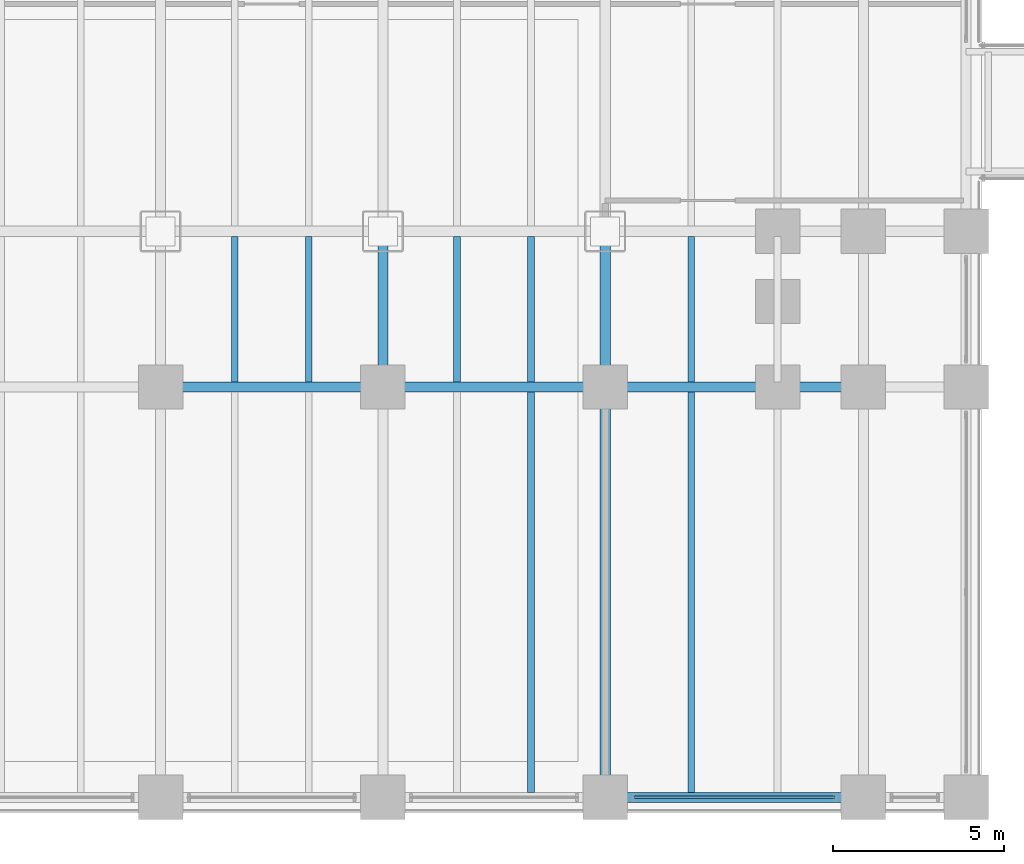
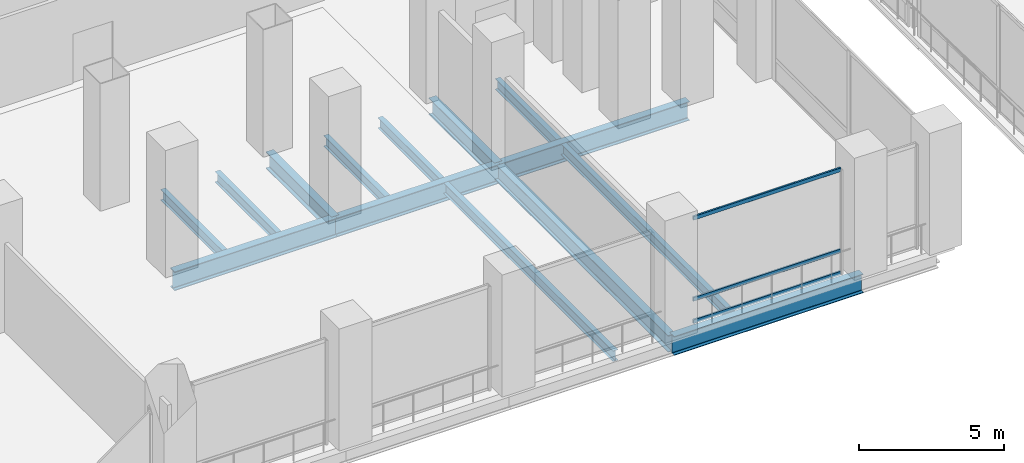
# One storey, part 10 of 30: 14 beams, 3 members, 1 element without a shape of its own.
"""IFC4 building model written with IfcOpenShell, lengths in metres."""

from ifc_helpers import new_model, si_unit, direction, frame, origin, origin_2d, place, context, subcontext, project, spatial, hollow_rectangle, i_section, extrude, material, material_profile, profile_set, type_object, element, aggregate, save


model = new_model("IFC4")

# Units and contexts
model_context = context("Model", 3, precision=1e-05, world=origin(), true_north=direction((0.0, 1.0)))
body_context = subcontext(model_context, "Body", "Model", "MODEL_VIEW")
ifc_project = project(units=[si_unit("LENGTHUNIT", "METRE"), si_unit("AREAUNIT", "SQUARE_METRE"), si_unit("VOLUMEUNIT", "CUBIC_METRE"), si_unit("PLANEANGLEUNIT", "RADIAN"), si_unit("MASSUNIT", "GRAM", prefix="KILO")], contexts=[model_context])

# Site, building, storey
site_placement = place(None, origin())
site = spatial("IfcSite", under=ifc_project, at=site_placement, CompositionType="ELEMENT")
building_placement = place(site_placement, origin())
building = spatial("IfcBuilding", under=site, at=building_placement, Name="Noeulbin Bourse Tower", CompositionType="ELEMENT")
storey_placement = place(building_placement, frame((0.0, 0.0, 16.60009765625)))
storey = spatial("IfcBuildingStorey", under=building, at=storey_placement, Name="L04", CompositionType="ELEMENT", Elevation=16.60009765625)

# Beams
ifc_material_1 = material(Name="Steel S355", Category="steel")
ifc_material_profile_1 = material_profile(ifc_material_1, i_section(OverallWidth=0.300048828125, OverallDepth=0.699951171875, WebThickness=0.012939453125, FlangeThickness=0.02392578125, FilletRadius=0.02392578125, at=origin_2d()), Name="H-700x300x13x24", Category="LoadBearing")
ifc_profile_set_1 = profile_set([ifc_material_profile_1], Name="Steel S355")
beam_type_1 = type_object("IfcBeamType", Name="BM-GRD-700", PredefinedType="USERDEFINED", material=ifc_profile_set_1)
beam_1_placement = place(storey_placement, frame((37.5, 15.449951171875, -0.60009765625), z_axis=(0.0, 1.0, 0.0), x_axis=(-1.0, 0.0, 0.0)))
element("IfcBeam", 1, at=beam_1_placement, inside=storey, type_object=beam_type_1, Name="Podium Primary Girder NS L04-086", ObjectType="GIRDER", PredefinedType="USERDEFINED", context=body_context, shape_type="SweptSolid", body=[
    extrude(i_section(OverallWidth=0.300048828125, OverallDepth=0.699951171875, WebThickness=0.012939453125, FlangeThickness=0.02392578125, FilletRadius=0.02392578125, at=origin_2d()), origin(), (0.0, 0.0, 1.0), 4.550048828125),
])
beam_2_placement = place(storey_placement, frame((44.0, 3.449951171875, -0.60009765625), z_axis=(0.0, 1.0, 0.0), x_axis=(-1.0, 0.0, 0.0)))
element("IfcBeam", 2, at=beam_2_placement, inside=storey, type_object=beam_type_1, Name="Podium Primary Girder NS L04-090", ObjectType="GIRDER", PredefinedType="USERDEFINED", context=body_context, shape_type="SweptSolid", body=[
    extrude(i_section(OverallWidth=0.300048828125, OverallDepth=0.699951171875, WebThickness=0.012939453125, FlangeThickness=0.02392578125, FilletRadius=0.02392578125, at=origin_2d()), origin(), (0.0, 0.0, 1.0), 12.0),
])
beam_3_placement = place(storey_placement, frame((44.0, 15.449951171875, -0.60009765625), z_axis=(0.0, 1.0, 0.0), x_axis=(-1.0, 0.0, 0.0)))
element("IfcBeam", 3, at=beam_3_placement, inside=storey, type_object=beam_type_1, Name="Podium Primary Girder NS L04-091", ObjectType="GIRDER", PredefinedType="USERDEFINED", context=body_context, shape_type="SweptSolid", body=[
    extrude(i_section(OverallWidth=0.300048828125, OverallDepth=0.699951171875, WebThickness=0.012939453125, FlangeThickness=0.02392578125, FilletRadius=0.02392578125, at=origin_2d()), origin(), (0.0, 0.0, 1.0), 4.550048828125),
])
ifc_material_profile_2 = material_profile(ifc_material_1, i_section(OverallWidth=0.300048828125, OverallDepth=0.800048828125, WebThickness=0.013916015625, FlangeThickness=0.02587890625, FilletRadius=0.02587890625, at=origin_2d()), Name="H-800x300x14x26", Category="LoadBearing")
ifc_profile_set_2 = profile_set([ifc_material_profile_2], Name="Steel S355")
beam_type_2 = type_object("IfcBeamType", Name="BM-GRD-800", PredefinedType="USERDEFINED", material=ifc_profile_set_2)
beam_4_placement = place(storey_placement, frame((44.0, 3.449951171875, -0.650146484375), z_axis=(1.0, 0.0, 0.0), x_axis=(0.0, 1.0, 0.0)))
element("IfcBeam", 4, at=beam_4_placement, inside=storey, type_object=beam_type_2, Name="Podium Primary Girder EW L04-007", ObjectType="GIRDER", PredefinedType="USERDEFINED", context=body_context, shape_type="SweptSolid", body=[
    extrude(i_section(OverallWidth=0.300048828125, OverallDepth=0.800048828125, WebThickness=0.013916015625, FlangeThickness=0.02587890625, FilletRadius=0.02587890625, at=origin_2d()), origin(), (0.0, 0.0, 1.0), 7.550048828125),
])
for number, where, z_axis, x_axis, name in (
    (5, (31.0, 15.449951171875, -0.650146484375), (1.0, 0.0, 0.0), (0.0, 1.0, 0.0), "Podium Primary Girder EW L04-013"),
    (6, (37.5, 15.449951171875, -0.650146484375), (1.0, 0.0, 0.0), (0.0, 1.0, 0.0), "Podium Primary Girder EW L04-014"),
):
    element("IfcBeam", number, at=place(storey_placement, frame(where, z_axis=z_axis, x_axis=x_axis)), inside=storey, type_object=beam_type_2, Name=name, ObjectType="GIRDER", PredefinedType="USERDEFINED", context=body_context, shape_type="SweptSolid", body=[
        extrude(i_section(OverallWidth=0.300048828125, OverallDepth=0.800048828125, WebThickness=0.013916015625, FlangeThickness=0.02587890625, FilletRadius=0.02587890625, at=origin_2d()), origin(), (0.0, 0.0, 1.0), 6.5),
    ])
beam_5_placement = place(storey_placement, frame((44.0, 15.449951171875, -0.650146484375), z_axis=(1.0, 0.0, 0.0), x_axis=(0.0, 1.0, 0.0)))
element("IfcBeam", 7, at=beam_5_placement, inside=storey, type_object=beam_type_2, Name="Podium Primary Girder EW L04-015", ObjectType="GIRDER", PredefinedType="USERDEFINED", context=body_context, shape_type="SweptSolid", body=[
    extrude(i_section(OverallWidth=0.300048828125, OverallDepth=0.800048828125, WebThickness=0.013916015625, FlangeThickness=0.02587890625, FilletRadius=0.02587890625, at=origin_2d()), origin(), (0.0, 0.0, 1.0), 7.550048828125),
])
ifc_material_profile_3 = material_profile(ifc_material_1, i_section(OverallWidth=0.199951171875, OverallDepth=0.449951171875, WebThickness=0.009033203125, FlangeThickness=0.013916015625, FilletRadius=0.01806640625, at=origin_2d()), Name="H-450x200x9x14", Category="LoadBearing")
ifc_profile_set_3 = profile_set([ifc_material_profile_3], Name="Steel S355")
beam_type_3 = type_object("IfcBeamType", Name="BM-SEC-450", PredefinedType="BEAM", material=ifc_profile_set_3)
for number, where, z_axis, x_axis, name in (
    (8, (33.166748046875, 15.60009765625, -0.47509765625), (0.0, 1.0, 0.0), (-1.0, 0.0, 0.0), "Podium Secondary Beam L04-054"),
    (9, (35.333251953125, 15.60009765625, -0.47509765625), (0.0, 1.0, 0.0), (-1.0, 0.0, 0.0), "Podium Secondary Beam L04-059"),
    (10, (39.666748046875, 15.60009765625, -0.47509765625), (0.0, 1.0, 0.0), (-1.0, 0.0, 0.0), "Podium Secondary Beam L04-064"),
):
    element("IfcBeam", number, at=place(storey_placement, frame(where, z_axis=z_axis, x_axis=x_axis)), inside=storey, type_object=beam_type_3, Name=name, PredefinedType="BEAM", context=body_context, shape_type="SweptSolid", body=[
        extrude(i_section(OverallWidth=0.199951171875, OverallDepth=0.449951171875, WebThickness=0.009033203125, FlangeThickness=0.013916015625, FilletRadius=0.01806640625, at=origin_2d()), origin(), (0.0, 0.0, 1.0), 4.25),
    ])
beam_6_placement = place(storey_placement, frame((41.833251953125, 3.60009765625, -0.47509765625), z_axis=(0.0, 1.0, 0.0), x_axis=(-1.0, 0.0, 0.0)))
element("IfcBeam", 11, at=beam_6_placement, inside=storey, type_object=beam_type_3, Name="Podium Secondary Beam L04-068", PredefinedType="BEAM", context=body_context, shape_type="SweptSolid", body=[
    extrude(i_section(OverallWidth=0.199951171875, OverallDepth=0.449951171875, WebThickness=0.009033203125, FlangeThickness=0.013916015625, FilletRadius=0.01806640625, at=origin_2d()), origin(), (0.0, 0.0, 1.0), 11.699951171875),
])
beam_7_placement = place(storey_placement, frame((41.833251953125, 15.60009765625, -0.47509765625), z_axis=(0.0, 1.0, 0.0), x_axis=(-1.0, 0.0, 0.0)))
element("IfcBeam", 12, at=beam_7_placement, inside=storey, type_object=beam_type_3, Name="Podium Secondary Beam L04-069", PredefinedType="BEAM", context=body_context, shape_type="SweptSolid", body=[
    extrude(i_section(OverallWidth=0.199951171875, OverallDepth=0.449951171875, WebThickness=0.009033203125, FlangeThickness=0.013916015625, FilletRadius=0.01806640625, at=origin_2d()), origin(), (0.0, 0.0, 1.0), 4.25),
])
beam_8_placement = place(storey_placement, frame((46.5166015625, 3.60009765625, -0.47509765625), z_axis=(0.0, 1.0, 0.0), x_axis=(-1.0, 0.0, 0.0)))
element("IfcBeam", 13, at=beam_8_placement, inside=storey, type_object=beam_type_3, Name="Podium Secondary Beam L04-073", PredefinedType="BEAM", context=body_context, shape_type="SweptSolid", body=[
    extrude(i_section(OverallWidth=0.199951171875, OverallDepth=0.449951171875, WebThickness=0.009033203125, FlangeThickness=0.013916015625, FilletRadius=0.01806640625, at=origin_2d()), origin(), (0.0, 0.0, 1.0), 11.699951171875),
])
beam_9_placement = place(storey_placement, frame((46.5166015625, 15.60009765625, -0.47509765625), z_axis=(0.0, 1.0, 0.0), x_axis=(-1.0, 0.0, 0.0)))
element("IfcBeam", 14, at=beam_9_placement, inside=storey, type_object=beam_type_3, Name="Podium Secondary Beam L04-074", PredefinedType="BEAM", context=body_context, shape_type="SweptSolid", body=[
    extrude(i_section(OverallWidth=0.199951171875, OverallDepth=0.449951171875, WebThickness=0.009033203125, FlangeThickness=0.013916015625, FilletRadius=0.01806640625, at=origin_2d()), origin(), (0.0, 0.0, 1.0), 4.25),
])

# Curtain wall, members
ifc_material_2 = material(Name="Laminated Clear Low-E Glass", Category="glass")
curtain_wall_type = type_object("IfcCurtainWallType", Name="CW-SYS-1", PredefinedType="NOTDEFINED", material=ifc_material_2)
curtain_wall_placement = place(storey_placement, origin())
curtain_wall = element("IfcCurtainWall", 15, at=curtain_wall_placement, inside=storey, type_object=curtain_wall_type, Name="Unitised Curtain Wall CW-L04-POD-S-S6", PredefinedType="NOTDEFINED")
ifc_material_3 = material(Name="Anodised Aluminium 6063-T6", Category="aluminium")
ifc_material_profile_4 = material_profile(ifc_material_3, hollow_rectangle(XDim=0.074951171875, YDim=0.159912109375, WallThickness=0.0048828125, InnerFilletRadius=0.00244140625, OuterFilletRadius=0.0048828125, at=origin_2d()), Name="ALU-TRAN-75x160x5", Category="LoadBearing")
ifc_profile_set_4 = profile_set([ifc_material_profile_4], Name="Anodised Aluminium 6063-T6")
member_type = type_object("IfcMemberType", Name="CW-SYS-1-TRN", PredefinedType="USERDEFINED", material=ifc_profile_set_4)
member_1_placement = place(storey_placement, frame((44.8349609375, 3.449951171875, 0.010009765625), z_axis=(1.0, 0.0, 0.0), x_axis=(0.0, 1.0, 0.0)))
member_1 = element("IfcMember", 16, at=member_1_placement, type_object=member_type, Name="Curtain Wall Transom CW-L04-POD-S-S6-T00", ObjectType="TRANSOM", PredefinedType="USERDEFINED", context=body_context, shape_type="SweptSolid", body=[
    extrude(hollow_rectangle(XDim=0.074951171875, YDim=0.159912109375, WallThickness=0.0048828125, InnerFilletRadius=0.00244140625, OuterFilletRadius=0.0048828125, at=origin_2d()), origin(), (0.0, 0.0, 1.0), 5.880126953125),
])
member_2_placement = place(storey_placement, frame((44.8349609375, 3.449951171875, 0.949951171875), z_axis=(1.0, 0.0, 0.0), x_axis=(0.0, 1.0, 0.0)))
member_2 = element("IfcMember", 17, at=member_2_placement, type_object=member_type, Name="Curtain Wall Transom CW-L04-POD-S-S6-T01", ObjectType="TRANSOM", PredefinedType="USERDEFINED", context=body_context, shape_type="SweptSolid", body=[
    extrude(hollow_rectangle(XDim=0.074951171875, YDim=0.159912109375, WallThickness=0.0048828125, InnerFilletRadius=0.00244140625, OuterFilletRadius=0.0048828125, at=origin_2d()), origin(), (0.0, 0.0, 1.0), 5.880126953125),
])
member_3_placement = place(storey_placement, frame((44.8349609375, 3.449951171875, 4.369873046875), z_axis=(1.0, 0.0, 0.0), x_axis=(0.0, 1.0, 0.0)))
member_3 = element("IfcMember", 18, at=member_3_placement, type_object=member_type, Name="Curtain Wall Transom CW-L04-POD-S-S6-T02", ObjectType="TRANSOM", PredefinedType="USERDEFINED", context=body_context, shape_type="SweptSolid", body=[
    extrude(hollow_rectangle(XDim=0.074951171875, YDim=0.159912109375, WallThickness=0.0048828125, InnerFilletRadius=0.00244140625, OuterFilletRadius=0.0048828125, at=origin_2d()), origin(), (0.0, 0.0, 1.0), 5.880126953125),
])
aggregate(curtain_wall, [member_1, member_2, member_3])

save(model, "model.ifc")
